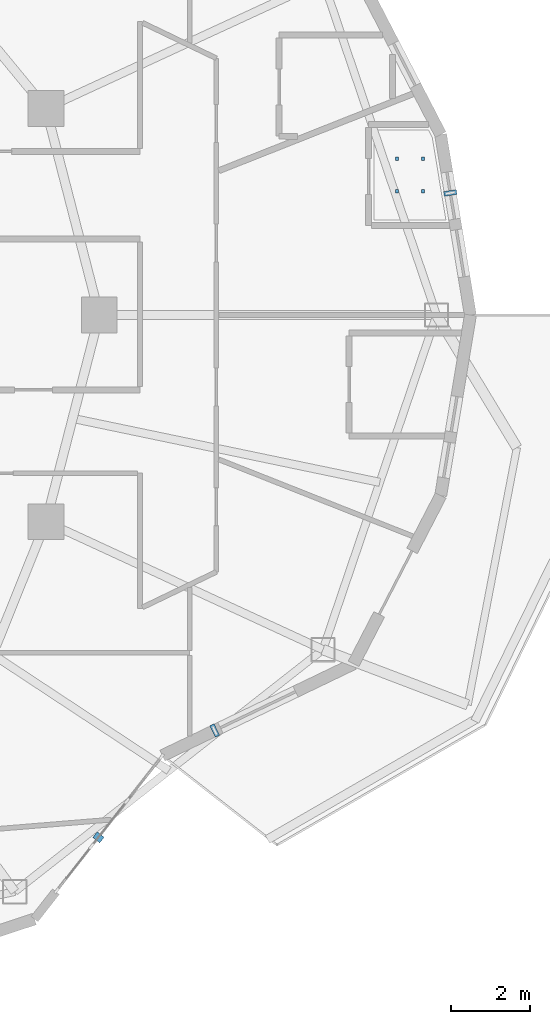
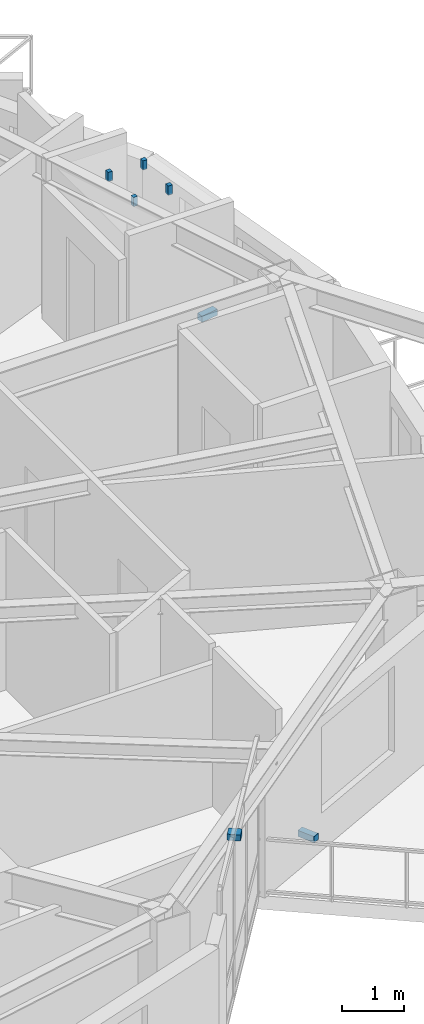
# One storey, part 15 of 19: 7 discrete accessories.
"""IFC4 building model written with IfcOpenShell, lengths in metres."""

from ifc_helpers import new_model, si_unit, direction, frame, origin, origin_2d, place, context, subcontext, project, spatial, rectangle, extrude, material, type_object, element, save


model = new_model("IFC4")

# Units and contexts
model_context = context("Model", 3, precision=1e-05, world=origin(), true_north=direction((0.0, 1.0)))
body_context = subcontext(model_context, "Body", "Model", "MODEL_VIEW")
ifc_project = project(units=[si_unit("LENGTHUNIT", "METRE"), si_unit("AREAUNIT", "SQUARE_METRE"), si_unit("VOLUMEUNIT", "CUBIC_METRE"), si_unit("PLANEANGLEUNIT", "RADIAN"), si_unit("MASSUNIT", "GRAM", prefix="KILO")], contexts=[model_context])

# Site, building, storey
site_placement = place(None, origin())
site = spatial("IfcSite", under=ifc_project, at=site_placement, CompositionType="ELEMENT")
building_placement = place(site_placement, origin())
building = spatial("IfcBuilding", under=site, at=building_placement, Name="Kolvaren Gate Tower and Convention Centre", CompositionType="ELEMENT")
storey_placement = place(building_placement, frame((0.0, 0.0, 163.10009765625)))
storey = spatial("IfcBuildingStorey", under=building, at=storey_placement, Name="L42", CompositionType="ELEMENT", Elevation=163.10009765625)

# Discrete accessories
ifc_material_1 = material(Name="Anodized Architectural Aluminium Alloy 6063-T6", Category="aluminium")
discrete_accessory_type_1 = type_object("IfcDiscreteAccessoryType", Name="ARCH-ACC-BRACKET-120", PredefinedType="BRACKET", material=ifc_material_1)
discrete_accessory_1_placement = place(storey_placement, frame((51.556884765625, 30.072021484375, 0.289794921875), z_axis=(0.0, 0.0, 1.0), x_axis=(0.162380568014, -0.986728205298, 0.0)))
element("IfcDiscreteAccessory", 1, at=discrete_accessory_1_placement, inside=storey, type_object=discrete_accessory_type_1, Name="Ceramic Fin Wall Anchor Bracket FBK-L42-00", PredefinedType="BRACKET", context=body_context, shape_type="SweptSolid", body=[
    extrude(rectangle(XDim=0.1201171875, YDim=0.320068359375, at=origin_2d()), origin(), (0.0, 0.0, 1.0), 0.1201171875),
])
discrete_accessory_2_placement = place(storey_placement, frame((42.70361328125, 13.857666015625, 2.949951171875), z_axis=(0.0, 0.0, 1.0), x_axis=(0.616434119112, 0.787406487651, 0.0)))
element("IfcDiscreteAccessory", 2, at=discrete_accessory_2_placement, inside=storey, type_object=discrete_accessory_type_1, Name="Solar Screen Spandrel Anchor Bracket BK-L42-20", PredefinedType="BRACKET", context=body_context, shape_type="SweptSolid", body=[
    extrude(rectangle(XDim=0.179931640625, YDim=0.219970703125, at=origin_2d()), origin(), (0.0, 0.0, 1.0), 0.1201171875),
])
discrete_accessory_3_placement = place(storey_placement, frame((45.627685546875, 16.54541015625, 0.289794921875), z_axis=(0.0, 0.0, 1.0), x_axis=(0.901358389955, 0.433073957723, 0.0)))
element("IfcDiscreteAccessory", 3, at=discrete_accessory_3_placement, inside=storey, type_object=discrete_accessory_type_1, Name="Ceramic Fin Wall Anchor Bracket FBK-L42-21", PredefinedType="BRACKET", context=body_context, shape_type="SweptSolid", body=[
    extrude(rectangle(XDim=0.1201171875, YDim=0.320068359375, at=origin_2d()), origin(), (0.0, 0.0, 1.0), 0.1201171875),
])
ifc_material_2 = material(Name="Brushed Stainless Steel Grade 316L", Category="steel")
discrete_accessory_type_2 = type_object("IfcDiscreteAccessoryType", Name="ARCH-ACC-HANGER-80", PredefinedType="BRACKET", material=ifc_material_2)
for number, where, z_axis, x_axis, name in (
    (4, (50.218017578125, 30.115966796875, 2.94970703125), (0.0, 0.0, 1.0), (1.0, 0.0, 0.0), "En-suite Bathroom (HTL-L42-10) Ceiling Suspension Hanger Clip 1"),
    (5, (50.867919921875, 30.115966796875, 2.94970703125), (0.0, 0.0, 1.0), (1.0, 0.0, 0.0), "En-suite Bathroom (HTL-L42-10) Ceiling Suspension Hanger Clip 2"),
    (6, (50.218017578125, 30.93408203125, 2.94970703125), (0.0, 0.0, 1.0), (1.0, 0.0, 0.0), "En-suite Bathroom (HTL-L42-10) Ceiling Suspension Hanger Clip 3"),
    (7, (50.867919921875, 30.93408203125, 2.94970703125), (0.0, 0.0, 1.0), (1.0, 0.0, 0.0), "En-suite Bathroom (HTL-L42-10) Ceiling Suspension Hanger Clip 4"),
):
    element("IfcDiscreteAccessory", number, at=place(storey_placement, frame(where, z_axis=z_axis, x_axis=x_axis)), inside=storey, type_object=discrete_accessory_type_2, Name=name, PredefinedType="BRACKET", context=body_context, shape_type="SweptSolid", body=[
        extrude(rectangle(XDim=0.080078125, YDim=0.080078125, at=origin_2d()), origin(), (0.0, 0.0, 1.0), 0.179931640625),
    ])

save(model, "model.ifc")
